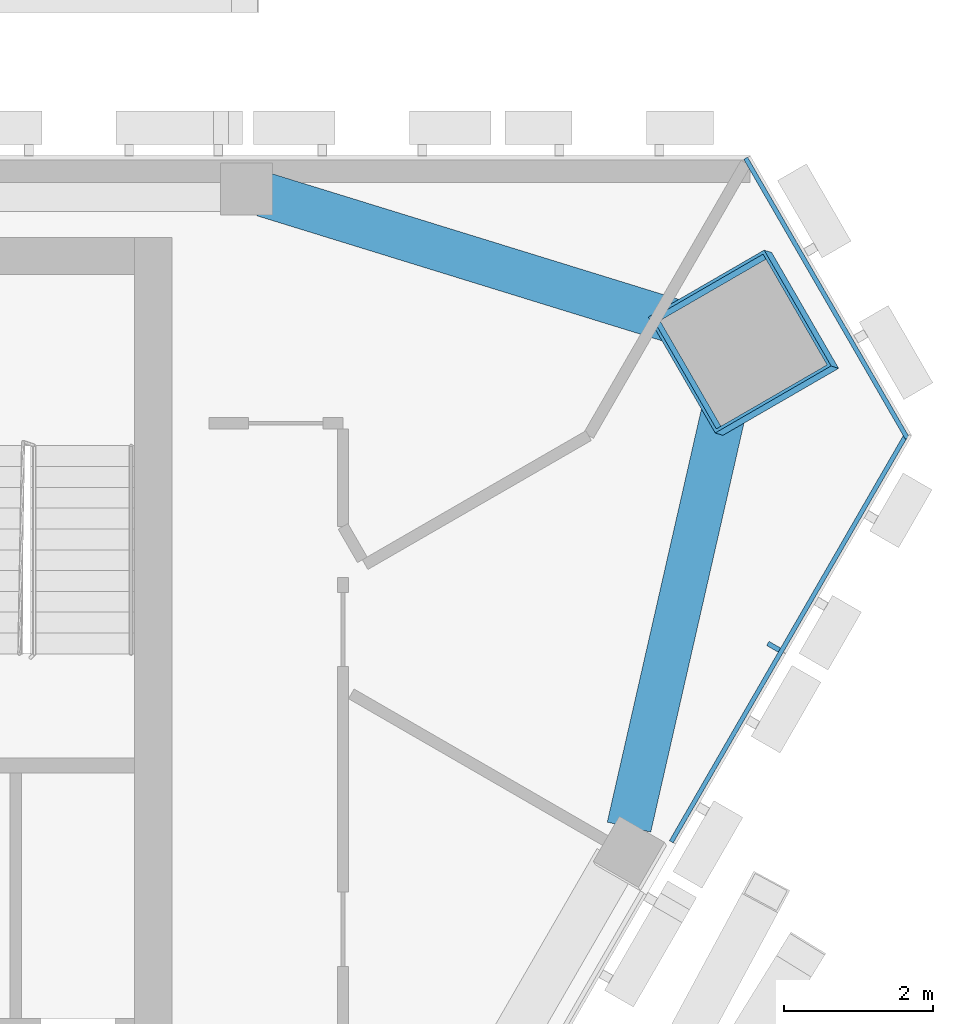
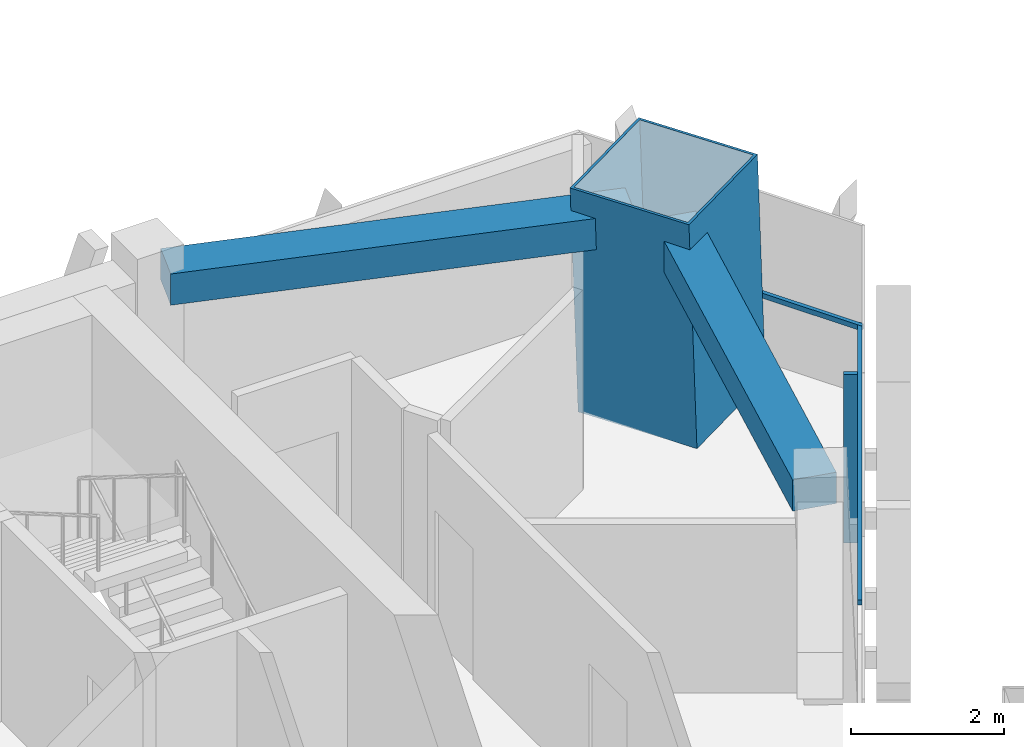
# One storey, part 6 of 12: 4 members, 2 beams, 2 elements without a shape of their own.
"""IFC4 building model written with IfcOpenShell, lengths in metres."""

from ifc_helpers import new_model, si_unit, direction, frame, origin, origin_2d, place, context, subcontext, project, spatial, rectangle, hollow_rectangle, extrude, material, layer, layer_set, material_profile, profile_set, type_object, element, aggregate, save


model = new_model("IFC4")

# Units and contexts
model_context = context("Model", 3, precision=1e-05, world=origin(), true_north=direction((0.0, 1.0)))
body_context = subcontext(model_context, "Body", "Model", "MODEL_VIEW")
ifc_project = project(units=[si_unit("LENGTHUNIT", "METRE"), si_unit("AREAUNIT", "SQUARE_METRE"), si_unit("VOLUMEUNIT", "CUBIC_METRE"), si_unit("PLANEANGLEUNIT", "RADIAN"), si_unit("MASSUNIT", "GRAM", prefix="KILO")], contexts=[model_context])

# Site, building, storey
site_placement = place(None, origin())
site = spatial("IfcSite", under=ifc_project, at=site_placement, CompositionType="ELEMENT")
building_placement = place(site_placement, origin())
building = spatial("IfcBuilding", under=site, at=building_placement, Name="Altiplano Prism Tower", CompositionType="ELEMENT")
storey_placement = place(building_placement, frame((0.0, 0.0, 291.39990234375)))
storey = spatial("IfcBuildingStorey", under=building, at=storey_placement, Name="L75", CompositionType="ELEMENT", Elevation=291.39990234375)

# Curtain wall, members
ifc_material_1 = material(Name="Aluminium and glass", Category="aluminium")
ifc_layer = layer(ifc_material_1, 0.280029296875)
ifc_layer_set = layer_set([ifc_layer], Name="Aluminium and glass")
curtain_wall_type = type_object("IfcCurtainWallType", Name="CW1 typical co-living unitised curtain wall", PredefinedType="NOTDEFINED", material=ifc_layer_set)
curtain_wall_1_placement = place(storey_placement, origin())
curtain_wall_1 = element("IfcCurtainWall", 1, at=curtain_wall_1_placement, inside=storey, type_object=curtain_wall_type, Name="CW1 curtain wall south-east face L75", PredefinedType="NOTDEFINED")
ifc_material_2 = material(Name="Aluminium", Category="aluminium")
ifc_material_profile_1 = material_profile(ifc_material_2, rectangle(XDim=0.179931640625, YDim=0.06494140625, at=origin_2d()), Name="CW1 mullion 65 x 180")
ifc_profile_set_1 = profile_set([ifc_material_profile_1], Name="Aluminium")
member_type_1 = type_object("IfcMemberType", Name="CW1 mullion 65 x 180", PredefinedType="MULLION", material=ifc_profile_set_1)
member_1_placement = place(storey_placement, frame((105.59130859375, 98.39599609375, 0.0), z_axis=(0.0, 0.0, 1.0), x_axis=(-0.866025410373, 0.499999988588, 0.0)))
member_1 = element("IfcMember", 2, at=member_1_placement, type_object=member_type_1, Name="CW1 mullion", PredefinedType="MULLION", context=body_context, shape_type="SweptSolid", body=[
    extrude(rectangle(XDim=0.179931640625, YDim=0.06494140625, at=origin_2d()), origin(), (0.0, 0.0, 1.0), 2.7001953125),
])
ifc_material_profile_2 = material_profile(ifc_material_2, rectangle(XDim=0.06005859375, YDim=0.080078125, at=origin_2d()), Name="CW1 transom 80 x 60")
ifc_profile_set_2 = profile_set([ifc_material_profile_2], Name="Aluminium")
member_type_2 = type_object("IfcMemberType", Name="CW1 transom 80 x 60", PredefinedType="USERDEFINED", material=ifc_profile_set_2)
member_2_placement = place(storey_placement, frame((104.2158203125, 95.77392578125, 1.10009765625), z_axis=(0.500015464265, 0.866016475303, 0.0), x_axis=(-0.866016475303, 0.500015464265, 0.0)))
member_2 = element("IfcMember", 3, at=member_2_placement, type_object=member_type_2, Name="CW1 transom", ObjectType="TRANSOM", PredefinedType="USERDEFINED", context=body_context, shape_type="SweptSolid", body=[
    extrude(rectangle(XDim=0.06005859375, YDim=0.080078125, at=origin_2d()), origin(), (0.0, 0.0, 1.0), 6.346923828125),
])
aggregate(curtain_wall_1, [member_1, member_2])

# Curtain wall, member
curtain_wall_2_placement = place(storey_placement, origin())
curtain_wall_2 = element("IfcCurtainWall", 4, at=curtain_wall_2_placement, inside=storey, type_object=curtain_wall_type, Name="CW1 curtain wall north-east chamfer L75", PredefinedType="NOTDEFINED")
member_3_placement = place(storey_placement, frame((107.389404296875, 101.200439453125, 1.10009765625), z_axis=(-0.500010903086, 0.866019108793, 0.0), x_axis=(-0.866019108793, -0.500010903086, 0.0)))
member_3 = element("IfcMember", 5, at=member_3_placement, type_object=member_type_2, Name="CW1 transom", ObjectType="TRANSOM", PredefinedType="USERDEFINED", context=body_context, shape_type="SweptSolid", body=[
    extrude(rectangle(XDim=0.06005859375, YDim=0.080078125, at=origin_2d()), origin(), (0.0, 0.0, 1.0), 4.34716796875),
])
aggregate(curtain_wall_2, [member_3])

# Beams
ifc_material_3 = material(Name="Concrete C60/75", Category="concrete")
ifc_material_profile_3 = material_profile(ifc_material_3, rectangle(XDim=0.60009765625, YDim=0.5, at=origin_2d()), Name="Edge beam 600x500")
ifc_profile_set_3 = profile_set([ifc_material_profile_3], Name="Concrete C60/75")
beam_type = type_object("IfcBeamType", Name="Edge beam 600x500", PredefinedType="SPANDREL", material=ifc_profile_set_3)
beam_1_placement = place(storey_placement, frame((103.646728515625, 95.970458984375, 2.9501953125), z_axis=(0.222218930866, 0.974996793207, 0.0), x_axis=(-0.974996793207, 0.222218930866, 0.0)))
element("IfcBeam", 6, at=beam_1_placement, inside=storey, type_object=beam_type, Name="Edge beam P24-M2 L76", PredefinedType="SPANDREL", context=body_context, shape_type="SweptSolid", body=[
    extrude(rectangle(XDim=0.60009765625, YDim=0.5, at=origin_2d()), origin(), (0.0, 0.0, 1.0), 6.248046875),
])
beam_2_placement = place(storey_placement, frame((104.705078125, 102.6337890625, 2.9501953125), z_axis=(-0.95547857938, 0.295060475744, 0.0), x_axis=(-0.295060475744, -0.95547857938, 0.0)))
element("IfcBeam", 7, at=beam_2_placement, inside=storey, type_object=beam_type, Name="Edge beam M2-P01 L76", PredefinedType="SPANDREL", context=body_context, shape_type="SweptSolid", body=[
    extrude(rectangle(XDim=0.60009765625, YDim=0.5, at=origin_2d()), origin(), (0.0, 0.0, 1.0), 6.247802734375),
])

# Member
ifc_material_4 = material(Name="Steel S460", Category="steel")
ifc_material_profile_4 = material_profile(ifc_material_4, hollow_rectangle(XDim=1.800048828125, YDim=1.800048828125, WallThickness=0.0400390625, at=origin_2d()), Name="Mega column tube 1800")
ifc_profile_set_4 = profile_set([ifc_material_profile_4], Name="Steel S460")
member_type_3 = type_object("IfcMemberType", Name="Mega column tube 1800", PredefinedType="POST", material=ifc_profile_set_4)
member_4_placement = place(storey_placement, frame((105.2373046875, 102.4677734375, 0.0), z_axis=(-0.028334084323, 0.009218745139, 0.999555998633), x_axis=(0.500140863063, -0.865660441152, 0.022161175963)))
element("IfcMember", 8, at=member_4_placement, inside=storey, type_object=member_type_3, Name="Mega column tube M2 L75", PredefinedType="POST", context=body_context, shape_type="SweptSolid", body=[
    extrude(hollow_rectangle(XDim=1.800048828125, YDim=1.800048828125, WallThickness=0.0400390625, at=origin_2d()), origin(), (0.0, 0.0, 1.0), 3.601806640625),
])

save(model, "model.ifc")
